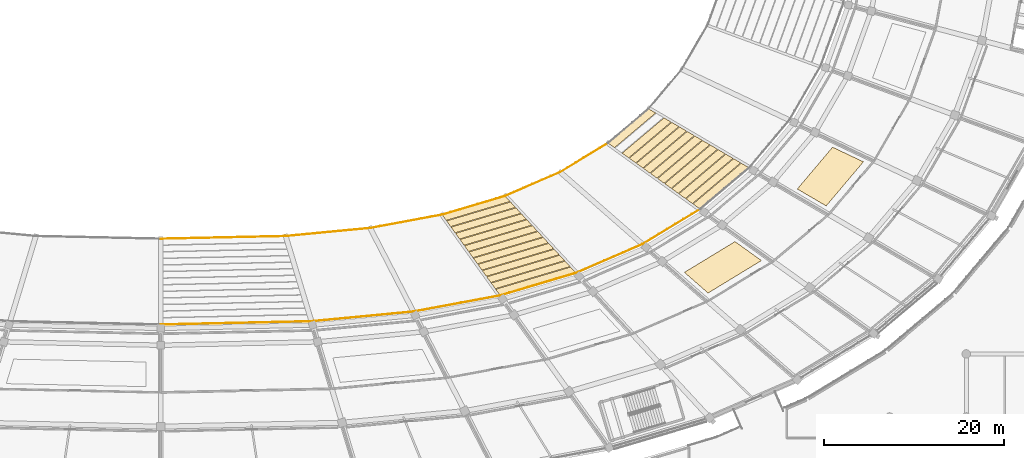
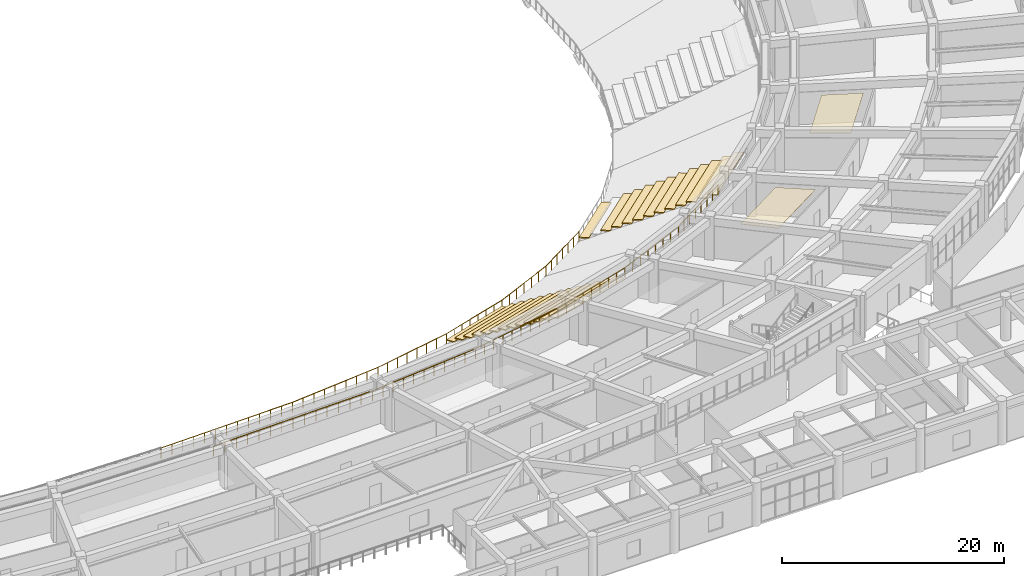
# One storey, part 135 of 152: 27 coverings, 2 railings.
"""IFC4 building model written with IfcOpenShell, lengths in metres."""

from ifc_helpers import new_model, si_unit, direction, frame, origin, origin_2d, place, context, subcontext, project, spatial, polyline, circle, outline, extrude, material, layer, layer_set, type_object, element, save


model = new_model("IFC4")

# Units and contexts
model_context = context("Model", 3, precision=1e-05, world=origin(), true_north=direction((0.0, 1.0)))
body_context = subcontext(model_context, "Body", "Model", "MODEL_VIEW")
ifc_project = project(units=[si_unit("LENGTHUNIT", "METRE"), si_unit("AREAUNIT", "SQUARE_METRE"), si_unit("VOLUMEUNIT", "CUBIC_METRE"), si_unit("PLANEANGLEUNIT", "RADIAN"), si_unit("MASSUNIT", "GRAM", prefix="KILO")], contexts=[model_context])

# Site, building, storey
site_placement = place(None, origin())
site = spatial("IfcSite", under=ifc_project, at=site_placement, CompositionType="ELEMENT")
building_placement = place(site_placement, origin())
building = spatial("IfcBuilding", under=site, at=building_placement, Name="Mphavela Belvedere Stadium", CompositionType="ELEMENT")
storey_placement = place(building_placement, frame((0.0, 0.0, 5.39990234375)))
storey = spatial("IfcBuildingStorey", under=building, at=storey_placement, Name="L01", CompositionType="ELEMENT", Elevation=5.39990234375)

# Coverings
ifc_material_1 = material(Name="Perforated acoustic mineral ceiling tile")
ifc_layer_1 = layer(ifc_material_1, 0.0400390625)
ifc_layer_set_1 = layer_set([ifc_layer_1], Name="Perforated acoustic mineral ceiling tile")
covering_type_1 = type_object("IfcCoveringType", Name="COV-CEILING-ACOUSTIC", PredefinedType="CEILING", material=ifc_layer_set_1)
covering_1_placement = place(storey_placement, frame((0.0, 0.0, 3.5)))
element("IfcCovering", 1, at=covering_1_placement, inside=storey, type_object=covering_type_1, Name="Concourse acoustic ceiling L01-42", PredefinedType="CEILING", context=body_context, shape_type="SweptSolid", body=[
    extrude(outline(polyline([(173.1455078125, 37.06103515625), (178.76025390625, 40.476806640625), (181.699462890625, 38.370849609375), (175.770751953125, 34.763916015625), (173.1455078125, 37.06103515625)])), origin(), (0.0, 0.0, 1.0), 0.0400390625),
])
covering_2_placement = place(storey_placement, frame((0.0, 0.0, 3.5)))
element("IfcCovering", 2, at=covering_2_placement, inside=storey, type_object=covering_type_1, Name="Concourse acoustic ceiling L01-44", PredefinedType="CEILING", context=body_context, shape_type="SweptSolid", body=[
    extrude(outline(polyline([(185.67919921875, 46.316650390625), (189.597900390625, 50.95751953125), (193.023193359375, 49.336181640625), (188.885009765625, 44.435546875), (185.67919921875, 46.316650390625)])), origin(), (0.0, 0.0, 1.0), 0.0400390625),
])
ifc_material_2 = material(Name="Precast seating row terrazzo finish", Category="concrete")
ifc_layer_2 = layer(ifc_material_2, 0.1201171875)
ifc_layer_set_2 = layer_set([ifc_layer_2], Name="Precast seating row terrazzo finish")
covering_type_2 = type_object("IfcCoveringType", Name="COV-SEAT-ROW-L", PredefinedType="FLOORING", material=ifc_layer_set_2)
covering_3_placement = place(storey_placement, frame((0.0, 0.0, -3.75830078125)))
element("IfcCovering", 3, at=covering_3_placement, inside=storey, type_object=covering_type_2, Name="Lower stand seating row bench B40-R01", PredefinedType="FLOORING", context=body_context, shape_type="SweptSolid", body=[
    extrude(outline(polyline([(146.2431640625, 43.46337890625), (153.229736328125, 45.537109375), (153.787109375, 44.9326171875), (146.69873046875, 42.82861328125), (146.2431640625, 43.46337890625)])), origin(), (0.0, 0.0, 1.0), 0.119873046875),
])
covering_4_placement = place(storey_placement, frame((0.0, 0.0, -3.296875)))
element("IfcCovering", 4, at=covering_4_placement, inside=storey, type_object=covering_type_2, Name="Lower stand seating row bench B40-R02", PredefinedType="FLOORING", context=body_context, shape_type="SweptSolid", body=[
    extrude(outline(polyline([(146.73828125, 42.773193359375), (153.83544921875, 44.8798828125), (154.392822265625, 44.275390625), (147.19384765625, 42.138671875), (146.73828125, 42.773193359375)])), origin(), (0.0, 0.0, 1.0), 0.1201171875),
])
covering_5_placement = place(storey_placement, frame((0.0, 0.0, -2.835205078125)))
element("IfcCovering", 5, at=covering_5_placement, inside=storey, type_object=covering_type_2, Name="Lower stand seating row bench B40-R03", PredefinedType="FLOORING", context=body_context, shape_type="SweptSolid", body=[
    extrude(outline(polyline([(147.2333984375, 42.08349609375), (154.44140625, 44.222900390625), (154.998779296875, 43.618408203125), (147.68896484375, 41.448486328125), (147.2333984375, 42.08349609375)])), origin(), (0.0, 0.0, 1.0), 0.119873046875),
])
covering_6_placement = place(storey_placement, frame((0.0, 0.0, -2.373779296875)))
element("IfcCovering", 6, at=covering_6_placement, inside=storey, type_object=covering_type_2, Name="Lower stand seating row bench B40-R04", PredefinedType="FLOORING", context=body_context, shape_type="SweptSolid", body=[
    extrude(outline(polyline([(147.728515625, 41.3935546875), (155.047119140625, 43.56591796875), (155.6044921875, 42.96142578125), (148.18408203125, 40.7587890625), (147.728515625, 41.3935546875)])), origin(), (0.0, 0.0, 1.0), 0.1201171875),
])
covering_7_placement = place(storey_placement, frame((0.0, 0.0, -1.912109375)))
element("IfcCovering", 7, at=covering_7_placement, inside=storey, type_object=covering_type_2, Name="Lower stand seating row bench B40-R05", PredefinedType="FLOORING", context=body_context, shape_type="SweptSolid", body=[
    extrude(outline(polyline([(148.2236328125, 40.70361328125), (155.653076171875, 42.90869140625), (156.21044921875, 42.30419921875), (148.67919921875, 40.06884765625), (148.2236328125, 40.70361328125)])), origin(), (0.0, 0.0, 1.0), 0.119873046875),
])
covering_8_placement = place(storey_placement, frame((0.0, 0.0, -1.45068359375)))
element("IfcCovering", 8, at=covering_8_placement, inside=storey, type_object=covering_type_2, Name="Lower stand seating row bench B40-R06", PredefinedType="FLOORING", context=body_context, shape_type="SweptSolid", body=[
    extrude(outline(polyline([(148.71875, 40.013671875), (156.2587890625, 42.251708984375), (156.81640625, 41.647216796875), (149.17431640625, 39.37890625), (148.71875, 40.013671875)])), origin(), (0.0, 0.0, 1.0), 0.119873046875),
])
covering_9_placement = place(storey_placement, frame((0.0, 0.0, -0.989013671875)))
element("IfcCovering", 9, at=covering_9_placement, inside=storey, type_object=covering_type_2, Name="Lower stand seating row bench B40-R07", PredefinedType="FLOORING", context=body_context, shape_type="SweptSolid", body=[
    extrude(outline(polyline([(149.2138671875, 39.323486328125), (156.86474609375, 41.594482421875), (157.422119140625, 40.989990234375), (149.66943359375, 38.68896484375), (149.2138671875, 39.323486328125)])), origin(), (0.0, 0.0, 1.0), 0.119873046875),
])
covering_10_placement = place(storey_placement, frame((0.0, 0.0, -0.527587890625)))
element("IfcCovering", 10, at=covering_10_placement, inside=storey, type_object=covering_type_2, Name="Lower stand seating row bench B40-R08", PredefinedType="FLOORING", context=body_context, shape_type="SweptSolid", body=[
    extrude(outline(polyline([(149.708984375, 38.6337890625), (157.470703125, 40.9375), (158.02783203125, 40.3330078125), (150.16455078125, 37.998779296875), (149.708984375, 38.6337890625)])), origin(), (0.0, 0.0, 1.0), 0.119873046875),
])
covering_11_placement = place(storey_placement, frame((0.0, 0.0, -0.066162109375)))
element("IfcCovering", 11, at=covering_11_placement, inside=storey, type_object=covering_type_2, Name="Lower stand seating row bench B40-R09", PredefinedType="FLOORING", context=body_context, shape_type="SweptSolid", body=[
    extrude(outline(polyline([(150.2041015625, 37.94384765625), (158.076416015625, 40.280517578125), (158.6337890625, 39.676025390625), (150.65966796875, 37.30908203125), (150.2041015625, 37.94384765625)])), origin(), (0.0, 0.0, 1.0), 0.1201171875),
])
covering_12_placement = place(storey_placement, frame((0.0, 0.0, 0.3955078125)))
element("IfcCovering", 12, at=covering_12_placement, inside=storey, type_object=covering_type_2, Name="Lower stand seating row bench B40-R10", PredefinedType="FLOORING", context=body_context, shape_type="SweptSolid", body=[
    extrude(outline(polyline([(150.69921875, 37.25390625), (158.68212890625, 39.623291015625), (159.239501953125, 39.018798828125), (151.15478515625, 36.619140625), (150.69921875, 37.25390625)])), origin(), (0.0, 0.0, 1.0), 0.119873046875),
])
covering_13_placement = place(storey_placement, frame((0.0, 0.0, 0.85693359375)))
element("IfcCovering", 13, at=covering_13_placement, inside=storey, type_object=covering_type_2, Name="Lower stand seating row bench B40-R11", PredefinedType="FLOORING", context=body_context, shape_type="SweptSolid", body=[
    extrude(outline(polyline([(151.1943359375, 36.56396484375), (159.2880859375, 38.96630859375), (159.845458984375, 38.36181640625), (151.64990234375, 35.92919921875), (151.1943359375, 36.56396484375)])), origin(), (0.0, 0.0, 1.0), 0.1201171875),
])
covering_14_placement = place(storey_placement, frame((0.0, 0.0, 1.318603515625)))
element("IfcCovering", 14, at=covering_14_placement, inside=storey, type_object=covering_type_2, Name="Lower stand seating row bench B40-R12", PredefinedType="FLOORING", context=body_context, shape_type="SweptSolid", body=[
    extrude(outline(polyline([(151.689453125, 35.873779296875), (159.893798828125, 38.309326171875), (160.451416015625, 37.704833984375), (152.14501953125, 35.2392578125), (151.689453125, 35.873779296875)])), origin(), (0.0, 0.0, 1.0), 0.119873046875),
])
covering_15_placement = place(storey_placement, frame((0.0, 0.0, 1.780029296875)))
element("IfcCovering", 15, at=covering_15_placement, inside=storey, type_object=covering_type_2, Name="Lower stand seating row bench B40-R13", PredefinedType="FLOORING", context=body_context, shape_type="SweptSolid", body=[
    extrude(outline(polyline([(152.1845703125, 35.18408203125), (160.499755859375, 37.652099609375), (161.05712890625, 37.047607421875), (152.64013671875, 34.54931640625), (152.1845703125, 35.18408203125)])), origin(), (0.0, 0.0, 1.0), 0.1201171875),
])
covering_16_placement = place(storey_placement, frame((0.0, 0.0, -3.75830078125)))
element("IfcCovering", 16, at=covering_16_placement, inside=storey, type_object=covering_type_2, Name="Lower stand seating row bench B43-R01", PredefinedType="FLOORING", context=body_context, shape_type="SweptSolid", body=[
    extrude(outline(polyline([(164.658935546875, 51.419677734375), (169.1650390625, 55.22216796875), (169.954833984375, 54.7587890625), (165.3828125, 50.90087890625), (164.658935546875, 51.419677734375)])), origin(), (0.0, 0.0, 1.0), 0.119873046875),
])
covering_17_placement = place(storey_placement, frame((0.0, 0.0, -2.835205078125)))
element("IfcCovering", 17, at=covering_17_placement, inside=storey, type_object=covering_type_2, Name="Lower stand seating row bench B43-R03", PredefinedType="FLOORING", context=body_context, shape_type="SweptSolid", body=[
    extrude(outline(polyline([(166.23291015625, 50.2919921875), (170.8818359375, 54.21484375), (171.67138671875, 53.751708984375), (166.956787109375, 49.773193359375), (166.23291015625, 50.2919921875)])), origin(), (0.0, 0.0, 1.0), 0.119873046875),
])
covering_18_placement = place(storey_placement, frame((0.0, 0.0, -2.373779296875)))
element("IfcCovering", 18, at=covering_18_placement, inside=storey, type_object=covering_type_2, Name="Lower stand seating row bench B43-R04", PredefinedType="FLOORING", context=body_context, shape_type="SweptSolid", body=[
    extrude(outline(polyline([(167.019775390625, 49.72802734375), (171.740234375, 53.711181640625), (172.52978515625, 53.248046875), (167.743896484375, 49.209228515625), (167.019775390625, 49.72802734375)])), origin(), (0.0, 0.0, 1.0), 0.1201171875),
])
covering_19_placement = place(storey_placement, frame((0.0, 0.0, -1.912109375)))
element("IfcCovering", 19, at=covering_19_placement, inside=storey, type_object=covering_type_2, Name="Lower stand seating row bench B43-R05", PredefinedType="FLOORING", context=body_context, shape_type="SweptSolid", body=[
    extrude(outline(polyline([(167.806640625, 49.164306640625), (172.598388671875, 53.207763671875), (173.38818359375, 52.744384765625), (168.53076171875, 48.6455078125), (167.806640625, 49.164306640625)])), origin(), (0.0, 0.0, 1.0), 0.119873046875),
])
covering_20_placement = place(storey_placement, frame((0.0, 0.0, -1.45068359375)))
element("IfcCovering", 20, at=covering_20_placement, inside=storey, type_object=covering_type_2, Name="Lower stand seating row bench B43-R06", PredefinedType="FLOORING", context=body_context, shape_type="SweptSolid", body=[
    extrude(outline(polyline([(168.59375, 48.600341796875), (173.456787109375, 52.7041015625), (174.24658203125, 52.24072265625), (169.317626953125, 48.08154296875), (168.59375, 48.600341796875)])), origin(), (0.0, 0.0, 1.0), 0.119873046875),
])
covering_21_placement = place(storey_placement, frame((0.0, 0.0, -0.989013671875)))
element("IfcCovering", 21, at=covering_21_placement, inside=storey, type_object=covering_type_2, Name="Lower stand seating row bench B43-R07", PredefinedType="FLOORING", context=body_context, shape_type="SweptSolid", body=[
    extrude(outline(polyline([(169.380615234375, 48.03662109375), (174.315185546875, 52.200439453125), (175.10498046875, 51.7373046875), (170.104736328125, 47.517822265625), (169.380615234375, 48.03662109375)])), origin(), (0.0, 0.0, 1.0), 0.119873046875),
])
covering_22_placement = place(storey_placement, frame((0.0, 0.0, -0.527587890625)))
element("IfcCovering", 22, at=covering_22_placement, inside=storey, type_object=covering_type_2, Name="Lower stand seating row bench B43-R08", PredefinedType="FLOORING", context=body_context, shape_type="SweptSolid", body=[
    extrude(outline(polyline([(170.16748046875, 47.47265625), (175.173583984375, 51.697021484375), (175.96337890625, 51.233642578125), (170.8916015625, 46.953857421875), (170.16748046875, 47.47265625)])), origin(), (0.0, 0.0, 1.0), 0.119873046875),
])
covering_23_placement = place(storey_placement, frame((0.0, 0.0, -0.066162109375)))
element("IfcCovering", 23, at=covering_23_placement, inside=storey, type_object=covering_type_2, Name="Lower stand seating row bench B43-R09", PredefinedType="FLOORING", context=body_context, shape_type="SweptSolid", body=[
    extrude(outline(polyline([(170.95458984375, 46.90869140625), (176.031982421875, 51.193359375), (176.82177734375, 50.72998046875), (171.6787109375, 46.39013671875), (170.95458984375, 46.90869140625)])), origin(), (0.0, 0.0, 1.0), 0.1201171875),
])
covering_24_placement = place(storey_placement, frame((0.0, 0.0, 0.3955078125)))
element("IfcCovering", 24, at=covering_24_placement, inside=storey, type_object=covering_type_2, Name="Lower stand seating row bench B43-R10", PredefinedType="FLOORING", context=body_context, shape_type="SweptSolid", body=[
    extrude(outline(polyline([(171.741455078125, 46.344970703125), (176.890380859375, 50.689697265625), (177.68017578125, 50.2265625), (172.465576171875, 45.826171875), (171.741455078125, 46.344970703125)])), origin(), (0.0, 0.0, 1.0), 0.119873046875),
])
covering_25_placement = place(storey_placement, frame((0.0, 0.0, 0.85693359375)))
element("IfcCovering", 25, at=covering_25_placement, inside=storey, type_object=covering_type_2, Name="Lower stand seating row bench B43-R11", PredefinedType="FLOORING", context=body_context, shape_type="SweptSolid", body=[
    extrude(outline(polyline([(172.528564453125, 45.781005859375), (177.748779296875, 50.186279296875), (178.53857421875, 49.722900390625), (173.25244140625, 45.262451171875), (172.528564453125, 45.781005859375)])), origin(), (0.0, 0.0, 1.0), 0.1201171875),
])
covering_26_placement = place(storey_placement, frame((0.0, 0.0, 1.318603515625)))
element("IfcCovering", 26, at=covering_26_placement, inside=storey, type_object=covering_type_2, Name="Lower stand seating row bench B43-R12", PredefinedType="FLOORING", context=body_context, shape_type="SweptSolid", body=[
    extrude(outline(polyline([(173.3154296875, 45.21728515625), (178.607177734375, 49.6826171875), (179.396728515625, 49.21923828125), (174.03955078125, 44.698486328125), (173.3154296875, 45.21728515625)])), origin(), (0.0, 0.0, 1.0), 0.119873046875),
])
covering_27_placement = place(storey_placement, frame((0.0, 0.0, 1.780029296875)))
element("IfcCovering", 27, at=covering_27_placement, inside=storey, type_object=covering_type_2, Name="Lower stand seating row bench B43-R13", PredefinedType="FLOORING", context=body_context, shape_type="SweptSolid", body=[
    extrude(outline(polyline([(174.102294921875, 44.6533203125), (179.465576171875, 49.178955078125), (180.255126953125, 48.7158203125), (174.826416015625, 44.134765625), (174.102294921875, 44.6533203125)])), origin(), (0.0, 0.0, 1.0), 0.1201171875),
])

# Railings
ifc_material_3 = material(Name="Bronze and laminated glass stadium balustrade", Category="glass")
railing_type = type_object("IfcRailingType", Name="RAL-BALUSTRADE-1120", PredefinedType="BALUSTRADE", material=ifc_material_3)
railing_1_placement = place(storey_placement, frame((115.0, 40.782470703125, -4.099853515625)))
element("IfcRailing", 28, at=railing_1_placement, inside=storey, type_object=railing_type, Name="Bowl safety balustrade t1_front S7", PredefinedType="BALUSTRADE", context=body_context, shape_type="SweptSolid", body=[
    extrude(circle(Radius=0.02392578125, at=origin_2d()), frame((0.0, 0.0, 1.09619140625), z_axis=(0.99976811519, 0.021534062558, 0.0), x_axis=(-0.021534062558, 0.99976811519, 0.0)), (0.0, 0.0, 1.0), 13.876953125),
    extrude(circle(Radius=0.02392578125, at=origin_2d()), frame((13.873779296875, 0.298828125, 1.09619140625), z_axis=(0.995485107266, 0.094917865605, 0.0), x_axis=(-0.094917865605, 0.995485107266, 0.0)), (0.0, 0.0, 1.0), 9.4267578125),
    extrude(circle(Radius=0.02392578125, at=origin_2d()), frame((23.258056640625, 1.193603515625, 1.09619140625), z_axis=(0.983092319169, 0.183110600433, 0.0), x_axis=(-0.183110600433, 0.983092319169, 0.0)), (0.0, 0.0, 1.0), 8.12255859375),
    extrude(circle(Radius=0.02392578125, at=origin_2d()), frame((31.2431640625, 2.680908203125, 1.09619140625), z_axis=(0.958662145349, 0.284546817018, 0.0), x_axis=(-0.284546817018, 0.958662145349, 0.0)), (0.0, 0.0, 1.0), 7.287841796875),
    extrude(circle(Radius=0.02392578125, at=origin_2d()), frame((38.229736328125, 4.754638671875, 1.09619140625), z_axis=(0.917505783131, 0.397722438293, 0.0), x_axis=(-0.397722438293, 0.917505783131, 0.0)), (0.0, 0.0, 1.0), 6.672607421875),
    extrude(circle(Radius=0.02392578125, at=origin_2d()), frame((44.351806640625, 7.408447265625, 1.09619140625), z_axis=(0.854317681937, 0.519751188868, 0.0), x_axis=(-0.519751188868, 0.854317681937, 0.0)), (0.0, 0.0, 1.0), 6.212158203125),
    extrude(circle(Radius=0.02099609375, at=origin_2d()), origin(), (0.0, 0.0, 1.0), 1.072021484375),
    extrude(circle(Radius=0.02099609375, at=origin_2d()), frame((1.15625, 0.02490234375, 0.0)), (0.0, 0.0, 1.0), 1.072021484375),
    extrude(circle(Radius=0.02099609375, at=origin_2d()), frame((2.312255859375, 0.0498046875, 0.0)), (0.0, 0.0, 1.0), 1.072021484375),
    extrude(circle(Radius=0.02099609375, at=origin_2d()), frame((3.468505859375, 0.07470703125, 0.0)), (0.0, 0.0, 1.0), 1.072021484375),
    extrude(circle(Radius=0.02099609375, at=origin_2d()), frame((4.62451171875, 0.099609375, 0.0)), (0.0, 0.0, 1.0), 1.072021484375),
    extrude(circle(Radius=0.02099609375, at=origin_2d()), frame((5.78076171875, 0.12451171875, 0.0)), (0.0, 0.0, 1.0), 1.072021484375),
    extrude(circle(Radius=0.02099609375, at=origin_2d()), frame((6.93701171875, 0.1494140625, 0.0)), (0.0, 0.0, 1.0), 1.072021484375),
    extrude(circle(Radius=0.02099609375, at=origin_2d()), frame((8.093017578125, 0.17431640625, 0.0)), (0.0, 0.0, 1.0), 1.072021484375),
    extrude(circle(Radius=0.02099609375, at=origin_2d()), frame((9.249267578125, 0.19921875, 0.0)), (0.0, 0.0, 1.0), 1.072021484375),
    extrude(circle(Radius=0.02099609375, at=origin_2d()), frame((10.4052734375, 0.22412109375, 0.0)), (0.0, 0.0, 1.0), 1.072021484375),
    extrude(circle(Radius=0.02099609375, at=origin_2d()), frame((11.5615234375, 0.2490234375, 0.0)), (0.0, 0.0, 1.0), 1.072021484375),
    extrude(circle(Radius=0.02099609375, at=origin_2d()), frame((12.717529296875, 0.27392578125, 0.0)), (0.0, 0.0, 1.0), 1.072021484375),
    extrude(circle(Radius=0.02099609375, at=origin_2d()), frame((13.873779296875, 0.298828125, 0.0)), (0.0, 0.0, 1.0), 1.072021484375),
    extrude(circle(Radius=0.02099609375, at=origin_2d()), frame((15.046875, 0.41064453125, 0.0)), (0.0, 0.0, 1.0), 1.072021484375),
    extrude(circle(Radius=0.02099609375, at=origin_2d()), frame((16.2197265625, 0.5224609375, 0.0)), (0.0, 0.0, 1.0), 1.072021484375),
    extrude(circle(Radius=0.02099609375, at=origin_2d()), frame((17.392822265625, 0.63427734375, 0.0)), (0.0, 0.0, 1.0), 1.072021484375),
    extrude(circle(Radius=0.02099609375, at=origin_2d()), frame((18.56591796875, 0.74609375, 0.0)), (0.0, 0.0, 1.0), 1.072021484375),
    extrude(circle(Radius=0.02099609375, at=origin_2d()), frame((19.739013671875, 0.858154296875, 0.0)), (0.0, 0.0, 1.0), 1.072021484375),
    extrude(circle(Radius=0.02099609375, at=origin_2d()), frame((20.912109375, 0.969970703125, 0.0)), (0.0, 0.0, 1.0), 1.072021484375),
    extrude(circle(Radius=0.02099609375, at=origin_2d()), frame((22.0849609375, 1.081787109375, 0.0)), (0.0, 0.0, 1.0), 1.072021484375),
    extrude(circle(Radius=0.02099609375, at=origin_2d()), frame((23.258056640625, 1.193603515625, 0.0)), (0.0, 0.0, 1.0), 1.072021484375),
    extrude(circle(Radius=0.02099609375, at=origin_2d()), frame((24.398681640625, 1.406005859375, 0.0)), (0.0, 0.0, 1.0), 1.072021484375),
    extrude(circle(Radius=0.02099609375, at=origin_2d()), frame((25.53955078125, 1.61865234375, 0.0)), (0.0, 0.0, 1.0), 1.072021484375),
    extrude(circle(Radius=0.02099609375, at=origin_2d()), frame((26.68017578125, 1.8310546875, 0.0)), (0.0, 0.0, 1.0), 1.072021484375),
    extrude(circle(Radius=0.02099609375, at=origin_2d()), frame((27.821044921875, 2.04345703125, 0.0)), (0.0, 0.0, 1.0), 1.072021484375),
    extrude(circle(Radius=0.02099609375, at=origin_2d()), frame((28.961669921875, 2.255859375, 0.0)), (0.0, 0.0, 1.0), 1.072021484375),
    extrude(circle(Radius=0.02099609375, at=origin_2d()), frame((30.1025390625, 2.468505859375, 0.0)), (0.0, 0.0, 1.0), 1.072021484375),
    extrude(circle(Radius=0.02099609375, at=origin_2d()), frame((31.2431640625, 2.680908203125, 0.0)), (0.0, 0.0, 1.0), 1.072021484375),
    extrude(circle(Radius=0.02099609375, at=origin_2d()), frame((32.2412109375, 2.97705078125, 0.0)), (0.0, 0.0, 1.0), 1.072021484375),
    extrude(circle(Radius=0.02099609375, at=origin_2d()), frame((33.2392578125, 3.2734375, 0.0)), (0.0, 0.0, 1.0), 1.072021484375),
    extrude(circle(Radius=0.02099609375, at=origin_2d()), frame((34.2373046875, 3.569580078125, 0.0)), (0.0, 0.0, 1.0), 1.072021484375),
    extrude(circle(Radius=0.02099609375, at=origin_2d()), frame((35.235595703125, 3.865966796875, 0.0)), (0.0, 0.0, 1.0), 1.072021484375),
    extrude(circle(Radius=0.02099609375, at=origin_2d()), frame((36.233642578125, 4.162109375, 0.0)), (0.0, 0.0, 1.0), 1.072021484375),
    extrude(circle(Radius=0.02099609375, at=origin_2d()), frame((37.231689453125, 4.45849609375, 0.0)), (0.0, 0.0, 1.0), 1.072021484375),
    extrude(circle(Radius=0.02099609375, at=origin_2d()), frame((38.229736328125, 4.754638671875, 0.0)), (0.0, 0.0, 1.0), 1.072021484375),
    extrude(circle(Radius=0.02099609375, at=origin_2d()), frame((39.25, 5.197021484375, 0.0)), (0.0, 0.0, 1.0), 1.072021484375),
    extrude(circle(Radius=0.02099609375, at=origin_2d()), frame((40.2705078125, 5.63916015625, 0.0)), (0.0, 0.0, 1.0), 1.072021484375),
    extrude(circle(Radius=0.02099609375, at=origin_2d()), frame((41.290771484375, 6.08154296875, 0.0)), (0.0, 0.0, 1.0), 1.072021484375),
    extrude(circle(Radius=0.02099609375, at=origin_2d()), frame((42.31103515625, 6.52392578125, 0.0)), (0.0, 0.0, 1.0), 1.072021484375),
    extrude(circle(Radius=0.02099609375, at=origin_2d()), frame((43.33154296875, 6.966064453125, 0.0)), (0.0, 0.0, 1.0), 1.072021484375),
    extrude(circle(Radius=0.02099609375, at=origin_2d()), frame((44.351806640625, 7.408447265625, 0.0)), (0.0, 0.0, 1.0), 1.072021484375),
    extrude(circle(Radius=0.02099609375, at=origin_2d()), frame((45.236328125, 7.946533203125, 0.0)), (0.0, 0.0, 1.0), 1.072021484375),
    extrude(circle(Radius=0.02099609375, at=origin_2d()), frame((46.120849609375, 8.484619140625, 0.0)), (0.0, 0.0, 1.0), 1.072021484375),
    extrude(circle(Radius=0.02099609375, at=origin_2d()), frame((47.00537109375, 9.02294921875, 0.0)), (0.0, 0.0, 1.0), 1.072021484375),
    extrude(circle(Radius=0.02099609375, at=origin_2d()), frame((47.889892578125, 9.56103515625, 0.0)), (0.0, 0.0, 1.0), 1.072021484375),
    extrude(circle(Radius=0.02099609375, at=origin_2d()), frame((48.7744140625, 10.09912109375, 0.0)), (0.0, 0.0, 1.0), 1.072021484375),
    extrude(circle(Radius=0.02099609375, at=origin_2d()), frame((49.658935546875, 10.63720703125, 0.0)), (0.0, 0.0, 1.0), 1.072021484375),
])
railing_2_placement = place(storey_placement, frame((115.0, 31.260986328125, 1.900146484375)))
element("IfcRailing", 29, at=railing_2_placement, inside=storey, type_object=railing_type, Name="Bowl safety balustrade t1_rear S7", PredefinedType="BALUSTRADE", context=body_context, shape_type="SweptSolid", body=[
    extrude(circle(Radius=0.02392578125, at=origin_2d()), frame((0.0, 0.0, 1.09619140625), z_axis=(0.999768164728, 0.021531762499, 0.0), x_axis=(-0.021531762499, 0.999768164728, 0.0)), (0.0, 0.0, 1.0), 16.73583984375),
    extrude(circle(Radius=0.02392578125, at=origin_2d()), frame((16.73193359375, 0.3603515625, 1.09619140625), z_axis=(0.995485236334, 0.094916511953, 0.0), x_axis=(-0.094916511953, 0.995485236334, 0.0)), (0.0, 0.0, 1.0), 11.368896484375),
    extrude(circle(Radius=0.02392578125, at=origin_2d()), frame((28.049560546875, 1.439453125, 1.09619140625), z_axis=(0.983092402982, 0.183110150455, 0.0), x_axis=(-0.183110150455, 0.983092402982, 0.0)), (0.0, 0.0, 1.0), 9.795654296875),
    extrude(circle(Radius=0.02392578125, at=origin_2d()), frame((37.6796875, 3.233154296875, 1.09619140625), z_axis=(0.958662376763, 0.284546037364, 0.0), x_axis=(-0.284546037364, 0.958662376763, 0.0)), (0.0, 0.0, 1.0), 8.789306640625),
    extrude(circle(Radius=0.02392578125, at=origin_2d()), frame((46.105712890625, 5.734130859375, 1.09619140625), z_axis=(0.917498798541, 0.397738550654, 0.0), x_axis=(-0.397738550654, 0.917498798541, 0.0)), (0.0, 0.0, 1.0), 8.047119140625),
    extrude(circle(Radius=0.02392578125, at=origin_2d()), frame((53.489013671875, 8.934814453125, 1.09619140625), z_axis=(0.854322499928, 0.519743269429, 0.0), x_axis=(-0.519743269429, 0.854322499928, 0.0)), (0.0, 0.0, 1.0), 7.49169921875),
    extrude(circle(Radius=0.02099609375, at=origin_2d()), origin(), (0.0, 0.0, 1.0), 1.072021484375),
    extrude(circle(Radius=0.02099609375, at=origin_2d()), frame((1.195068359375, 0.025634765625, 0.0)), (0.0, 0.0, 1.0), 1.072021484375),
    extrude(circle(Radius=0.02099609375, at=origin_2d()), frame((2.390380859375, 0.051513671875, 0.0)), (0.0, 0.0, 1.0), 1.072021484375),
    extrude(circle(Radius=0.02099609375, at=origin_2d()), frame((3.58544921875, 0.0771484375, 0.0)), (0.0, 0.0, 1.0), 1.072021484375),
    extrude(circle(Radius=0.02099609375, at=origin_2d()), frame((4.780517578125, 0.10302734375, 0.0)), (0.0, 0.0, 1.0), 1.072021484375),
    extrude(circle(Radius=0.02099609375, at=origin_2d()), frame((5.9755859375, 0.128662109375, 0.0)), (0.0, 0.0, 1.0), 1.072021484375),
    extrude(circle(Radius=0.02099609375, at=origin_2d()), frame((7.1708984375, 0.154541015625, 0.0)), (0.0, 0.0, 1.0), 1.072021484375),
    extrude(circle(Radius=0.02099609375, at=origin_2d()), frame((8.365966796875, 0.18017578125, 0.0)), (0.0, 0.0, 1.0), 1.072021484375),
    extrude(circle(Radius=0.02099609375, at=origin_2d()), frame((9.56103515625, 0.205810546875, 0.0)), (0.0, 0.0, 1.0), 1.072021484375),
    extrude(circle(Radius=0.02099609375, at=origin_2d()), frame((10.75634765625, 0.231689453125, 0.0)), (0.0, 0.0, 1.0), 1.072021484375),
    extrude(circle(Radius=0.02099609375, at=origin_2d()), frame((11.951416015625, 0.25732421875, 0.0)), (0.0, 0.0, 1.0), 1.072021484375),
    extrude(circle(Radius=0.02099609375, at=origin_2d()), frame((13.146484375, 0.283203125, 0.0)), (0.0, 0.0, 1.0), 1.072021484375),
    extrude(circle(Radius=0.02099609375, at=origin_2d()), frame((14.341552734375, 0.308837890625, 0.0)), (0.0, 0.0, 1.0), 1.072021484375),
    extrude(circle(Radius=0.02099609375, at=origin_2d()), frame((15.536865234375, 0.334716796875, 0.0)), (0.0, 0.0, 1.0), 1.072021484375),
    extrude(circle(Radius=0.02099609375, at=origin_2d()), frame((16.73193359375, 0.3603515625, 0.0)), (0.0, 0.0, 1.0), 1.072021484375),
    extrude(circle(Radius=0.02099609375, at=origin_2d()), frame((17.86376953125, 0.46826171875, 0.0)), (0.0, 0.0, 1.0), 1.072021484375),
    extrude(circle(Radius=0.02099609375, at=origin_2d()), frame((18.995361328125, 0.576171875, 0.0)), (0.0, 0.0, 1.0), 1.072021484375),
    extrude(circle(Radius=0.02099609375, at=origin_2d()), frame((20.127197265625, 0.68408203125, 0.0)), (0.0, 0.0, 1.0), 1.072021484375),
    extrude(circle(Radius=0.02099609375, at=origin_2d()), frame((21.259033203125, 0.7919921875, 0.0)), (0.0, 0.0, 1.0), 1.072021484375),
    extrude(circle(Radius=0.02099609375, at=origin_2d()), frame((22.390625, 0.89990234375, 0.0)), (0.0, 0.0, 1.0), 1.072021484375),
    extrude(circle(Radius=0.02099609375, at=origin_2d()), frame((23.5224609375, 1.0078125, 0.0)), (0.0, 0.0, 1.0), 1.072021484375),
    extrude(circle(Radius=0.02099609375, at=origin_2d()), frame((24.654296875, 1.11572265625, 0.0)), (0.0, 0.0, 1.0), 1.072021484375),
    extrude(circle(Radius=0.02099609375, at=origin_2d()), frame((25.7861328125, 1.2236328125, 0.0)), (0.0, 0.0, 1.0), 1.072021484375),
    extrude(circle(Radius=0.02099609375, at=origin_2d()), frame((26.917724609375, 1.33154296875, 0.0)), (0.0, 0.0, 1.0), 1.072021484375),
    extrude(circle(Radius=0.02099609375, at=origin_2d()), frame((28.049560546875, 1.439453125, 0.0)), (0.0, 0.0, 1.0), 1.072021484375),
    extrude(circle(Radius=0.02099609375, at=origin_2d()), frame((29.11962890625, 1.638671875, 0.0)), (0.0, 0.0, 1.0), 1.072021484375),
    extrude(circle(Radius=0.02099609375, at=origin_2d()), frame((30.189697265625, 1.838134765625, 0.0)), (0.0, 0.0, 1.0), 1.072021484375),
    extrude(circle(Radius=0.02099609375, at=origin_2d()), frame((31.259521484375, 2.037353515625, 0.0)), (0.0, 0.0, 1.0), 1.072021484375),
    extrude(circle(Radius=0.02099609375, at=origin_2d()), frame((32.32958984375, 2.236572265625, 0.0)), (0.0, 0.0, 1.0), 1.072021484375),
    extrude(circle(Radius=0.02099609375, at=origin_2d()), frame((33.399658203125, 2.43603515625, 0.0)), (0.0, 0.0, 1.0), 1.072021484375),
    extrude(circle(Radius=0.02099609375, at=origin_2d()), frame((34.4697265625, 2.63525390625, 0.0)), (0.0, 0.0, 1.0), 1.072021484375),
    extrude(circle(Radius=0.02099609375, at=origin_2d()), frame((35.53955078125, 2.83447265625, 0.0)), (0.0, 0.0, 1.0), 1.072021484375),
    extrude(circle(Radius=0.02099609375, at=origin_2d()), frame((36.609619140625, 3.033935546875, 0.0)), (0.0, 0.0, 1.0), 1.072021484375),
    extrude(circle(Radius=0.02099609375, at=origin_2d()), frame((37.6796875, 3.233154296875, 0.0)), (0.0, 0.0, 1.0), 1.072021484375),
    extrude(circle(Radius=0.02099609375, at=origin_2d()), frame((38.73291015625, 3.5458984375, 0.0)), (0.0, 0.0, 1.0), 1.072021484375),
    extrude(circle(Radius=0.02099609375, at=origin_2d()), frame((39.7861328125, 3.8583984375, 0.0)), (0.0, 0.0, 1.0), 1.072021484375),
    extrude(circle(Radius=0.02099609375, at=origin_2d()), frame((40.83935546875, 4.1708984375, 0.0)), (0.0, 0.0, 1.0), 1.072021484375),
    extrude(circle(Radius=0.02099609375, at=origin_2d()), frame((41.892578125, 4.483642578125, 0.0)), (0.0, 0.0, 1.0), 1.072021484375),
    extrude(circle(Radius=0.02099609375, at=origin_2d()), frame((42.946044921875, 4.79638671875, 0.0)), (0.0, 0.0, 1.0), 1.072021484375),
    extrude(circle(Radius=0.02099609375, at=origin_2d()), frame((43.999267578125, 5.10888671875, 0.0)), (0.0, 0.0, 1.0), 1.072021484375),
    extrude(circle(Radius=0.02099609375, at=origin_2d()), frame((45.052490234375, 5.42138671875, 0.0)), (0.0, 0.0, 1.0), 1.072021484375),
    extrude(circle(Radius=0.02099609375, at=origin_2d()), frame((46.105712890625, 5.734130859375, 0.0)), (0.0, 0.0, 1.0), 1.072021484375),
    extrude(circle(Radius=0.02099609375, at=origin_2d()), frame((47.160400390625, 6.19140625, 0.0)), (0.0, 0.0, 1.0), 1.072021484375),
    extrude(circle(Radius=0.02099609375, at=origin_2d()), frame((48.21533203125, 6.648681640625, 0.0)), (0.0, 0.0, 1.0), 1.072021484375),
    extrude(circle(Radius=0.02099609375, at=origin_2d()), frame((49.27001953125, 7.10595703125, 0.0)), (0.0, 0.0, 1.0), 1.072021484375),
    extrude(circle(Radius=0.02099609375, at=origin_2d()), frame((50.32470703125, 7.56298828125, 0.0)), (0.0, 0.0, 1.0), 1.072021484375),
    extrude(circle(Radius=0.02099609375, at=origin_2d()), frame((51.37939453125, 8.020263671875, 0.0)), (0.0, 0.0, 1.0), 1.072021484375),
    extrude(circle(Radius=0.02099609375, at=origin_2d()), frame((52.434326171875, 8.4775390625, 0.0)), (0.0, 0.0, 1.0), 1.072021484375),
    extrude(circle(Radius=0.02099609375, at=origin_2d()), frame((53.489013671875, 8.934814453125, 0.0)), (0.0, 0.0, 1.0), 1.072021484375),
    extrude(circle(Radius=0.02099609375, at=origin_2d()), frame((54.4033203125, 9.490966796875, 0.0)), (0.0, 0.0, 1.0), 1.072021484375),
    extrude(circle(Radius=0.02099609375, at=origin_2d()), frame((55.317626953125, 10.04736328125, 0.0)), (0.0, 0.0, 1.0), 1.072021484375),
    extrude(circle(Radius=0.02099609375, at=origin_2d()), frame((56.23193359375, 10.603515625, 0.0)), (0.0, 0.0, 1.0), 1.072021484375),
    extrude(circle(Radius=0.02099609375, at=origin_2d()), frame((57.146484375, 11.159912109375, 0.0)), (0.0, 0.0, 1.0), 1.072021484375),
    extrude(circle(Radius=0.02099609375, at=origin_2d()), frame((58.060791015625, 11.716064453125, 0.0)), (0.0, 0.0, 1.0), 1.072021484375),
    extrude(circle(Radius=0.02099609375, at=origin_2d()), frame((58.97509765625, 12.2724609375, 0.0)), (0.0, 0.0, 1.0), 1.072021484375),
    extrude(circle(Radius=0.02099609375, at=origin_2d()), frame((59.889404296875, 12.82861328125, 0.0)), (0.0, 0.0, 1.0), 1.072021484375),
])

save(model, "model.ifc")
